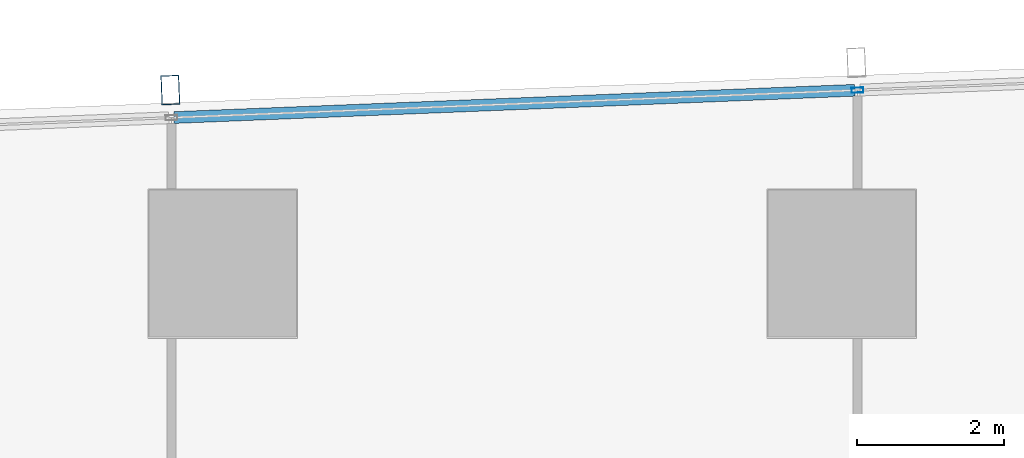
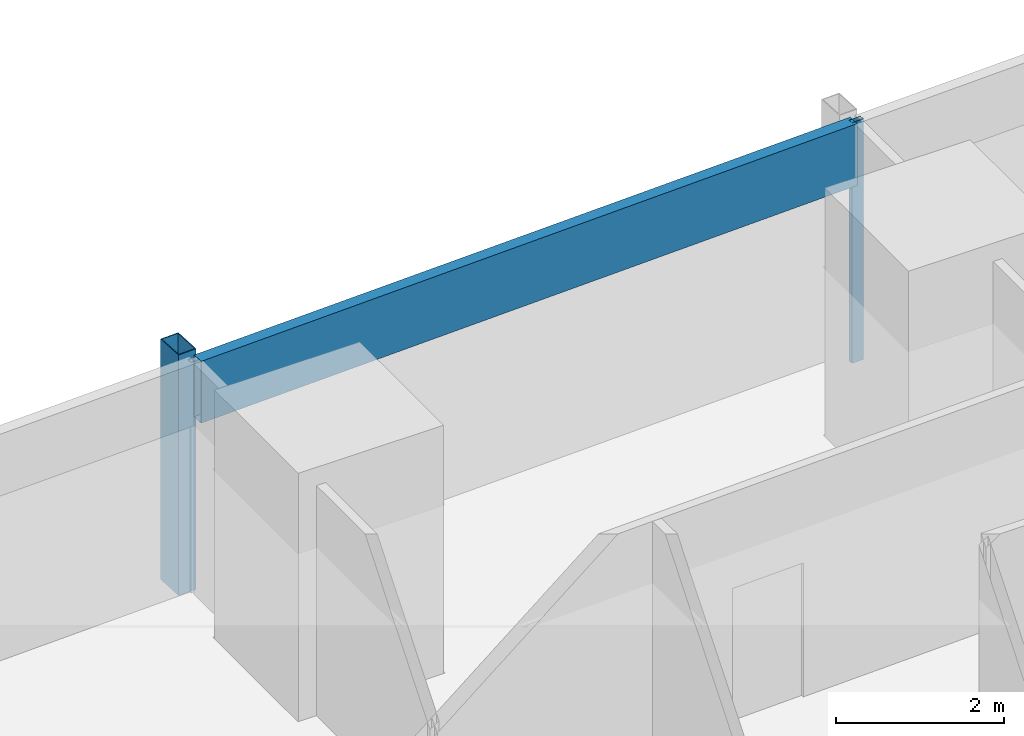
# One storey, part 16 of 39: 3 members, 1 element without a shape of its own.
"""IFC4 building model written with IfcOpenShell, lengths in metres."""

import ifcopenshell
import ifcopenshell.guid

model = None  # the IFC model being written
_history = None  # IfcOwnerHistory: only IFC2X3 demands one
_inside = {}  # id of a spatial element -> (the spatial element, [elements in it])
_under = {}  # id of a project, library or spatial element -> (it, [spatial elements below it])
_declared = {}  # id of a project -> (the project, [libraries it declares])
_typed = {}  # id of a type object -> (the type object, [elements of that type])
_made_of = {}  # id of a material, layer set ... -> (it, [elements and type objects made of it])


def new_model(schema):
    """Start an empty IFC model of exactly this schema.

    Asked for "IFC4X3", IfcOpenShell would pick the latest addendum, in which some entities
    have other attributes; the version numbers below select the first issue.
    IFC2X3 requires an IfcOwnerHistory on every rooted entity: one is made here for all.
    """
    global model, _history
    if schema == "IFC4X3":
        model = ifcopenshell.file(schema_version=(4, 3, 0, 0))
    else:
        model = ifcopenshell.file(schema=schema)
    _inside.clear()
    _under.clear()
    _declared.clear()
    _typed.clear()
    _made_of.clear()
    _history = None
    if model.schema == "IFC2X3":
        org = make("IfcOrganization", Name="unknown")
        user = make(
            "IfcPersonAndOrganization",
            ThePerson=make("IfcPerson", FamilyName="unknown"),
            TheOrganization=org,
        )
        app = make(
            "IfcApplication",
            ApplicationDeveloper=org,
            Version="unknown",
            ApplicationFullName="unknown",
            ApplicationIdentifier="unknown",
        )
        _history = make(
            "IfcOwnerHistory",
            OwningUser=user,
            OwningApplication=app,
            ChangeAction="ADDED",
            CreationDate=0,
        )
    return model


def make(cls, **values):
    """One entity of the class cls with the attributes given. An attribute that is None is left unset."""
    return model.create_entity(
        cls, **{name: value for name, value in values.items() if value is not None}
    )


def rooted(cls, **values):
    """An entity with a GlobalId (a new one), such as an element, a storey or a relation."""
    return make(cls, GlobalId=ifcopenshell.guid.new(), OwnerHistory=_history, **values)


def si_unit(unit_type, name, prefix=None):
    """IfcSIUnit, for example si_unit("LENGTHUNIT", "METRE", prefix="MILLI")."""
    return make("IfcSIUnit", UnitType=unit_type, Prefix=prefix, Name=name)


def assignment(units):
    """IfcUnitAssignment: the units of a project."""
    return None if units is None else make("IfcUnitAssignment", Units=units)


def point(xyz):
    """IfcCartesianPoint."""
    return None if xyz is None else make("IfcCartesianPoint", Coordinates=xyz)


def direction(xyz):
    """IfcDirection."""
    return None if xyz is None else make("IfcDirection", DirectionRatios=xyz)


def frame(location, z_axis=None, x_axis=None):
    """IfcAxis2Placement3D, a coordinate frame: its origin and axes. An axis left out is left unset."""
    return make(
        "IfcAxis2Placement3D",
        Location=point(location),
        Axis=direction(z_axis),
        RefDirection=direction(x_axis),
    )


def frame_2d(location, x_axis=None):
    """IfcAxis2Placement2D, a coordinate frame in the plane: its origin and x axis."""
    return make(
        "IfcAxis2Placement2D", Location=point(location), RefDirection=direction(x_axis)
    )


def origin():
    """The frame at (0, 0, 0) with its axes left unset."""
    return frame((0.0, 0.0, 0.0))


def origin_2d():
    """The frame at (0, 0) in the plane with its x axis left unset."""
    return frame_2d((0.0, 0.0))


def place(relative_to, where):
    """IfcLocalPlacement: puts the frame where relative to a parent placement (None: the world)."""
    return make(
        "IfcLocalPlacement", PlacementRelTo=relative_to, RelativePlacement=where
    )


def context(
    kind, dimensions, precision=None, world=None, true_north=None, identifier=None
):
    """IfcGeometricRepresentationContext, for example the 3D "Model" context."""
    return make(
        "IfcGeometricRepresentationContext",
        ContextIdentifier=identifier,
        ContextType=kind,
        CoordinateSpaceDimension=dimensions,
        Precision=precision,
        WorldCoordinateSystem=world,
        TrueNorth=true_north,
    )


def subcontext(parent, identifier, kind, view, scale=None):
    """IfcGeometricRepresentationSubContext, for example "Body" below "Model"."""
    return make(
        "IfcGeometricRepresentationSubContext",
        ContextIdentifier=identifier,
        ContextType=kind,
        ParentContext=parent,
        TargetScale=scale,
        TargetView=view,
    )


def project(units=None, contexts=None):
    """IfcProject with its units and contexts."""
    return rooted(
        "IfcProject",
        Name="project",
        RepresentationContexts=contexts,
        UnitsInContext=assignment(units),
    )


def spatial(cls, under=None, at=None, **own):
    """A site, building, storey or space (cls), placed at a placement, below another one or the project."""
    s = rooted(cls, ObjectPlacement=at, **own)
    if under is not None:
        _under.setdefault(under.id(), (under, []))[1].append(s)
    return s


def profile(cls, at=None, kind="AREA", **sizes):
    """A parametric profile (cls). Its sizes go by their IFC names, for example OverallWidth=200.0."""
    return make(cls, ProfileType=kind, Position=at, **sizes)


def hollow_rectangle(**sizes):
    """IfcRectangleHollowProfileDef."""
    return profile("IfcRectangleHollowProfileDef", **sizes)


def extrude(swept, where, along, depth):
    """IfcExtrudedAreaSolid: the profile swept, set in the frame where, extruded along a direction by depth."""
    return make(
        "IfcExtrudedAreaSolid",
        SweptArea=swept,
        Position=where,
        ExtrudedDirection=direction(along),
        Depth=depth,
    )


def shape(context_of_items, identifier, shape_type, items):
    """IfcShapeRepresentation: the items that make up one representation, for example the "Body"."""
    return make(
        "IfcShapeRepresentation",
        ContextOfItems=context_of_items,
        RepresentationIdentifier=identifier,
        RepresentationType=shape_type,
        Items=items,
    )


def material(Name=None, Category=None):
    """IfcMaterial."""
    return make("IfcMaterial", Name=Name, Category=Category)


def material_profile(
    of_material, cross_section, Name=None, Category=None, Priority=None
):
    """IfcMaterialProfile: a cross section and its material."""
    return make(
        "IfcMaterialProfile",
        Name=Name,
        Material=of_material,
        Profile=cross_section,
        Priority=Priority,
        Category=Category,
    )


def profile_set(profiles, Name=None, composite=None):
    """IfcMaterialProfileSet."""
    return make(
        "IfcMaterialProfileSet",
        Name=Name,
        MaterialProfiles=profiles,
        CompositeProfile=composite,
    )


def made_of(thing, what):
    """Note that an element or type object is made of a material, layer set ...; save() writes the relation."""
    if what is not None:
        _made_of.setdefault(what.id(), (what, []))[1].append(thing)
    return thing


def type_object(cls, material=None, **own):
    """A type object (cls), such as IfcWallType, which elements share."""
    return made_of(rooted(cls, **own), material)


def element(
    cls,
    number,
    at=None,
    inside=None,
    cuts=None,
    type_object=None,
    material=None,
    context=None,
    identifier="Body",
    shape_type=None,
    held_by="IfcProductDefinitionShape",
    body=None,
    shapes=None,
    **own,
):
    """One element of the class cls, such as IfcWall. Its Tag is "e" and its number.

    at: its placement. inside: the storey or other place that contains it. cuts: it is an
    opening in that element (IfcRelVoidsElement). A single representation is given by context,
    identifier, shape_type and body (its items); several are given by shapes. held_by: the class
    of the entity that holds the representations. save() writes the other relations.
    """
    e = rooted(cls, Tag="e%d" % number, ObjectPlacement=at, **own)
    if body is not None:
        shapes = [shape(context, identifier, shape_type, body)]
    if shapes is not None:
        e.Representation = make(held_by, Representations=shapes)
    if inside is not None:
        _inside.setdefault(inside.id(), (inside, []))[1].append(e)
    if cuts is not None:
        rooted(
            "IfcRelVoidsElement", RelatingBuildingElement=cuts, RelatedOpeningElement=e
        )
    if type_object is not None:
        _typed.setdefault(type_object.id(), (type_object, []))[1].append(e)
    return made_of(e, material)


def aggregate(whole, parts):
    """IfcRelAggregates: a whole, such as a stair, and the parts it consists of."""
    return rooted("IfcRelAggregates", RelatingObject=whole, RelatedObjects=parts)


def save(model, path):
    """Write the relations noted so far, then the file.

    IfcRelAggregates (storeys below a building ...), IfcRelContainedInSpatialStructure (elements
    in a storey), IfcRelDefinesByType, IfcRelAssociatesMaterial and IfcRelDeclares: one each for
    every whole, place, type object, material and project.
    """
    for whole, parts in _under.values():
        aggregate(whole, parts)
    for where, things in _inside.values():
        rooted(
            "IfcRelContainedInSpatialStructure",
            RelatedElements=things,
            RelatingStructure=where,
        )
    for kind, things in _typed.values():
        rooted("IfcRelDefinesByType", RelatedObjects=things, RelatingType=kind)
    for what, things in _made_of.values():
        rooted("IfcRelAssociatesMaterial", RelatedObjects=things, RelatingMaterial=what)
    for by, libraries in _declared.values():
        rooted("IfcRelDeclares", RelatingContext=by, RelatedDefinitions=libraries)
    model.write(path)


model = new_model("IFC4")

# Units and contexts
model_context = context("Model", 3, precision=1e-05, world=origin(), true_north=direction((0.0, 1.0)))
body_context = subcontext(model_context, "Body", "Model", "MODEL_VIEW")
ifc_project = project(units=[si_unit("LENGTHUNIT", "METRE"), si_unit("AREAUNIT", "SQUARE_METRE"), si_unit("VOLUMEUNIT", "CUBIC_METRE"), si_unit("PLANEANGLEUNIT", "RADIAN"), si_unit("MASSUNIT", "GRAM", prefix="KILO")], contexts=[model_context])

# Site, building, storey
site_placement = place(None, origin())
site = spatial("IfcSite", under=ifc_project, at=site_placement, CompositionType="ELEMENT")
building_placement = place(site_placement, origin())
building = spatial("IfcBuilding", under=site, at=building_placement, Name="Rekha Terrace Tower", CompositionType="ELEMENT")
storey_placement = place(building_placement, frame((0.0, 0.0, 147.800048828125)))
storey = spatial("IfcBuildingStorey", under=building, at=storey_placement, Name="L37", CompositionType="ELEMENT", Elevation=147.800048828125)

# Curtain wall, members
ifc_material_1 = material(Name="Aluminium framing", Category="aluminium")
curtain_wall_type = type_object("IfcCurtainWallType", Name="CW3 north unitised glazing", PredefinedType="USERDEFINED", material=ifc_material_1)
curtain_wall_placement = place(storey_placement, origin())
curtain_wall = element("IfcCurtainWall", 1, at=curtain_wall_placement, inside=storey, type_object=curtain_wall_type, Name="CW3 unitised curtain wall", ObjectType="UNITISED CURTAIN WALL", PredefinedType="USERDEFINED")
ifc_material_2 = material(Name="Steel S355 with fluorocarbon finish", Category="steel")
ifc_material_profile_1 = material_profile(ifc_material_2, hollow_rectangle(XDim=0.25, YDim=0.39990234375, WallThickness=0.012451171875, at=origin_2d()), Name="RHS400x250x12.5")
ifc_profile_set_1 = profile_set([ifc_material_profile_1], Name="Steel S355 with fluorocarbon finish")
member_type_1 = type_object("IfcMemberType", Name="BL1 facade blade RHS 400 x 250", PredefinedType="USERDEFINED", material=ifc_profile_set_1)
member_1_placement = place(storey_placement, frame((16.0869140625, 61.1552734375, 0.0), z_axis=(0.0, 0.0, 1.0), x_axis=(-0.999198382632, -0.040032388711, 0.0)))
member_1 = element("IfcMember", 2, at=member_1_placement, type_object=member_type_1, Name="Facade blade", ObjectType="FACADE BLADE", PredefinedType="USERDEFINED", context=body_context, shape_type="SweptSolid", body=[
    extrude(hollow_rectangle(XDim=0.25, YDim=0.39990234375, WallThickness=0.012451171875, at=origin_2d()), origin(), (0.0, 0.0, 1.0), 3.5),
])
ifc_material_3 = material(Name="Aluminium mullion section", Category="aluminium")
ifc_material_profile_2 = material_profile(ifc_material_3, hollow_rectangle(XDim=0.070068359375, YDim=0.159912109375, WallThickness=0.00390625, at=origin_2d()), Name="AL RHS 70x160")
ifc_profile_set_2 = profile_set([ifc_material_profile_2], Name="Aluminium mullion section")
member_type_2 = type_object("IfcMemberType", Name="CW3 mullion RHS 70 x 160", PredefinedType="MULLION", material=ifc_profile_set_2)
member_2_placement = place(storey_placement, frame((25.413818359375, 61.153564453125, 0.0), z_axis=(0.0, 0.0, 1.0), x_axis=(0.040031987119, -0.999198398721, 0.0)))
member_2 = element("IfcMember", 3, at=member_2_placement, type_object=member_type_2, Name="CW3 mullion 3", PredefinedType="MULLION", context=body_context, shape_type="SweptSolid", body=[
    extrude(hollow_rectangle(XDim=0.070068359375, YDim=0.159912109375, WallThickness=0.00390625, at=origin_2d()), origin(), (0.0, 0.0, 1.0), 3.5),
])
ifc_material_4 = material(Name="Insulated aluminium spandrel box", Category="aluminium")
ifc_material_profile_3 = material_profile(ifc_material_4, hollow_rectangle(XDim=0.159912109375, YDim=0.89990234375, WallThickness=0.0029296875, at=origin_2d()), Name="AL SPANDREL BOX 160x900")
ifc_profile_set_3 = profile_set([ifc_material_profile_3], Name="Insulated aluminium spandrel box")
member_type_3 = type_object("IfcMemberType", Name="CW3 spandrel transom 160 x 900", PredefinedType="USERDEFINED", material=ifc_profile_set_3)
member_3_placement = place(storey_placement, frame((25.37890625, 61.152099609375, 3.050048828125), z_axis=(-0.999199102424, -0.040014418831, 0.0), x_axis=(0.040014418831, -0.999199102424, 0.0)))
member_3 = element("IfcMember", 4, at=member_3_placement, type_object=member_type_3, Name="CW3 spandrel transom 3", ObjectType="TRANSOM", PredefinedType="USERDEFINED", context=body_context, shape_type="SweptSolid", body=[
    extrude(hollow_rectangle(XDim=0.159912109375, YDim=0.89990234375, WallThickness=0.0029296875, at=origin_2d()), origin(), (0.0, 0.0, 1.0), 9.24951171875),
])
aggregate(curtain_wall, [member_2, member_3, member_1])

save(model, "model.ifc")
